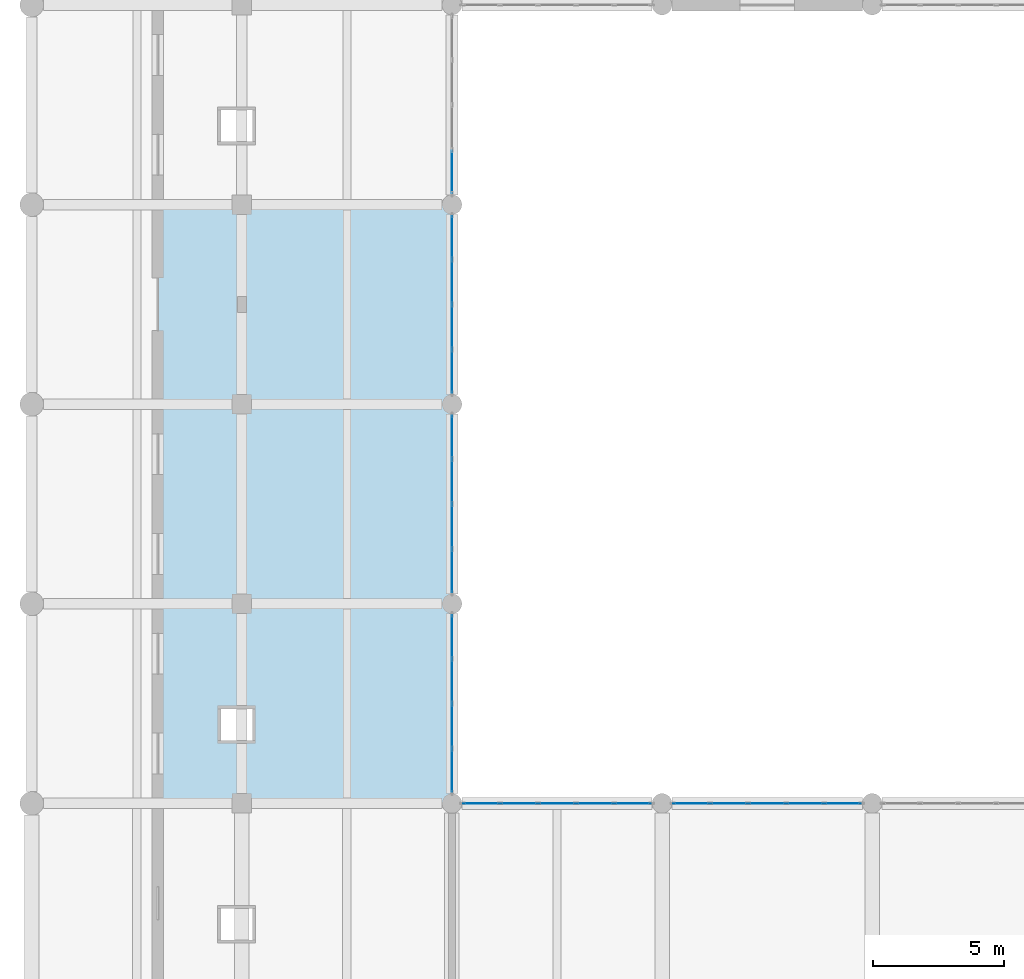
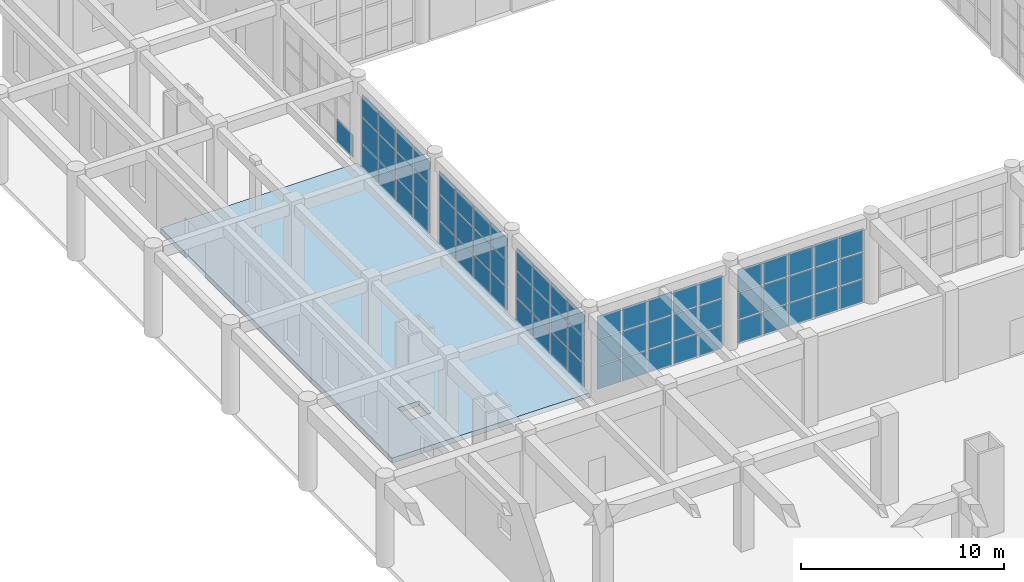
# One storey, part 58 of 95: 67 plates, 1 slab, 6 elements without a shape of their own.
"""IFC4 building model written with IfcOpenShell, lengths in metres."""

from ifc_helpers import new_model, si_unit, direction, frame, origin, origin_2d, place, context, subcontext, project, spatial, polyline, rectangle, outline, extrude, material, layer, layer_set, type_object, element, aggregate, save


model = new_model("IFC4")

# Units and contexts
model_context = context("Model", 3, precision=1e-05, world=origin(), true_north=direction((0.0, 1.0)))
body_context = subcontext(model_context, "Body", "Model", "MODEL_VIEW")
ifc_project = project(units=[si_unit("LENGTHUNIT", "METRE"), si_unit("AREAUNIT", "SQUARE_METRE"), si_unit("VOLUMEUNIT", "CUBIC_METRE"), si_unit("PLANEANGLEUNIT", "RADIAN"), si_unit("MASSUNIT", "GRAM", prefix="KILO")], contexts=[model_context])

# Site, building, storey
site_placement = place(None, origin())
site = spatial("IfcSite", under=ifc_project, at=site_placement, CompositionType="ELEMENT")
building_placement = place(site_placement, origin())
building = spatial("IfcBuilding", under=site, at=building_placement, Name="Zantavel Square City Hall", CompositionType="ELEMENT")
storey_placement = place(building_placement, origin())
storey = spatial("IfcBuildingStorey", under=building, at=storey_placement, Name="L01", CompositionType="ELEMENT", Elevation=0.0)

# Slab
ifc_material_1 = material(Name="Concrete C35/45", Category="concrete")
ifc_layer_1 = layer(ifc_material_1, 0.300048828125, Name="Concrete C35/45")
ifc_layer_set_1 = layer_set([ifc_layer_1], Name="Concrete C35/45")
slab_type = type_object("IfcSlabType", Name="Ground Civic Floor Slab 300mm C35/45", PredefinedType="FLOOR", material=ifc_layer_set_1)
slab_placement = place(storey_placement, frame((0.0, 0.0, -0.300048828125)))
element("IfcSlab", 1, at=slab_placement, inside=storey, type_object=slab_type, Name="L01 Floor Slab SLB-L01-V3W-01", PredefinedType="FLOOR", context=body_context, shape_type="SweptSolid", body=[
    extrude(outline(polyline([(16.0, 60.800048828125), (16.0, 38.0), (4.800048828125, 38.0), (4.800048828125, 60.800048828125), (16.0, 60.800048828125)]), holes=[polyline([(8.39990234375, 41.60009765625), (7.199951171875, 41.60009765625), (7.199951171875, 40.39990234375), (8.39990234375, 40.39990234375), (8.39990234375, 41.60009765625)])]), origin(), (0.0, 0.0, 1.0), 0.300048828125),
])

# Curtain wall, plates
ifc_material_2 = material(Name="Anodised aluminium 6063-T6", Category="aluminium")
curtain_wall_type_1 = type_object("IfcCurtainWallType", Name="Curtain Wall CRT 7250x4510", PredefinedType="USERDEFINED", material=ifc_material_2)
curtain_wall_1_placement = place(storey_placement, origin())
curtain_wall_1 = element("IfcCurtainWall", 2, at=curtain_wall_1_placement, inside=storey, type_object=curtain_wall_type_1, Name="L01 Glazed Curtain Wall CW-L01-010", ObjectType="GLAZED CURTAIN WALL", PredefinedType="USERDEFINED")
ifc_material_3 = material(Name="Tempered safety glass low-E double glazing", Category="glass")
ifc_layer_2 = layer(ifc_material_3, 0.028076171875, Name="Tempered safety glass low-E double glazing")
ifc_layer_set_2 = layer_set([ifc_layer_2], Name="Tempered safety glass low-E double glazing")
plate_type_1 = type_object("IfcPlateType", Name="Low-E Curtain Glazing Panel 1450x1503x28", PredefinedType="CURTAIN_PANEL", material=ifc_layer_set_2)
plate_1_placement = place(storey_placement, frame((17.114990234375, 38.0, 0.06005859375), z_axis=(0.0, 0.0, 1.0), x_axis=(1.0, 0.0, 0.0)))
plate_1 = element("IfcPlate", 3, at=plate_1_placement, type_object=plate_type_1, Name="CW-010 panel 1.1", PredefinedType="CURTAIN_PANEL", context=body_context, shape_type="SweptSolid", body=[
    extrude(rectangle(XDim=1.360107421875, YDim=0.028076171875, at=origin_2d()), origin(), (0.0, 0.0, 1.0), 1.35302734375),
])
plate_2_placement = place(storey_placement, frame((17.114990234375, 38.0, 1.472900390625), z_axis=(0.0, 0.0, 1.0), x_axis=(1.0, 0.0, 0.0)))
plate_2 = element("IfcPlate", 4, at=plate_2_placement, type_object=plate_type_1, Name="CW-010 panel 1.2", PredefinedType="CURTAIN_PANEL", context=body_context, shape_type="SweptSolid", body=[
    extrude(rectangle(XDim=1.360107421875, YDim=0.028076171875, at=origin_2d()), origin(), (0.0, 0.0, 1.0), 1.56396484375),
])
plate_3_placement = place(storey_placement, frame((17.114990234375, 38.0, 3.096923828125), z_axis=(0.0, 0.0, 1.0), x_axis=(1.0, 0.0, 0.0)))
plate_3 = element("IfcPlate", 5, at=plate_3_placement, type_object=plate_type_1, Name="CW-010 panel 1.3", PredefinedType="CURTAIN_PANEL", context=body_context, shape_type="SweptSolid", body=[
    extrude(rectangle(XDim=1.360107421875, YDim=0.028076171875, at=origin_2d()), origin(), (0.0, 0.0, 1.0), 1.35302734375),
])
plate_4_placement = place(storey_placement, frame((18.550048828125, 38.0, 0.06005859375), z_axis=(0.0, 0.0, 1.0), x_axis=(1.0, 0.0, 0.0)))
plate_4 = element("IfcPlate", 6, at=plate_4_placement, type_object=plate_type_1, Name="CW-010 panel 2.1", PredefinedType="CURTAIN_PANEL", context=body_context, shape_type="SweptSolid", body=[
    extrude(rectangle(XDim=1.389892578125, YDim=0.028076171875, at=origin_2d()), origin(), (0.0, 0.0, 1.0), 1.35302734375),
])
plate_5_placement = place(storey_placement, frame((18.550048828125, 38.0, 1.472900390625), z_axis=(0.0, 0.0, 1.0), x_axis=(1.0, 0.0, 0.0)))
plate_5 = element("IfcPlate", 7, at=plate_5_placement, type_object=plate_type_1, Name="CW-010 panel 2.2", PredefinedType="CURTAIN_PANEL", context=body_context, shape_type="SweptSolid", body=[
    extrude(rectangle(XDim=1.389892578125, YDim=0.028076171875, at=origin_2d()), origin(), (0.0, 0.0, 1.0), 1.56396484375),
])
plate_6_placement = place(storey_placement, frame((18.550048828125, 38.0, 3.096923828125), z_axis=(0.0, 0.0, 1.0), x_axis=(1.0, 0.0, 0.0)))
plate_6 = element("IfcPlate", 8, at=plate_6_placement, type_object=plate_type_1, Name="CW-010 panel 2.3", PredefinedType="CURTAIN_PANEL", context=body_context, shape_type="SweptSolid", body=[
    extrude(rectangle(XDim=1.389892578125, YDim=0.028076171875, at=origin_2d()), origin(), (0.0, 0.0, 1.0), 1.35302734375),
])
plate_7_placement = place(storey_placement, frame((20.0, 38.0, 0.06005859375), z_axis=(0.0, 0.0, 1.0), x_axis=(1.0, 0.0, 0.0)))
plate_7 = element("IfcPlate", 9, at=plate_7_placement, type_object=plate_type_1, Name="CW-010 panel 3.1", PredefinedType="CURTAIN_PANEL", context=body_context, shape_type="SweptSolid", body=[
    extrude(rectangle(XDim=1.389892578125, YDim=0.028076171875, at=origin_2d()), origin(), (0.0, 0.0, 1.0), 1.35302734375),
])
plate_8_placement = place(storey_placement, frame((20.0, 38.0, 1.472900390625), z_axis=(0.0, 0.0, 1.0), x_axis=(1.0, 0.0, 0.0)))
plate_8 = element("IfcPlate", 10, at=plate_8_placement, type_object=plate_type_1, Name="CW-010 panel 3.2", PredefinedType="CURTAIN_PANEL", context=body_context, shape_type="SweptSolid", body=[
    extrude(rectangle(XDim=1.389892578125, YDim=0.028076171875, at=origin_2d()), origin(), (0.0, 0.0, 1.0), 1.56396484375),
])
plate_9_placement = place(storey_placement, frame((20.0, 38.0, 3.096923828125), z_axis=(0.0, 0.0, 1.0), x_axis=(1.0, 0.0, 0.0)))
plate_9 = element("IfcPlate", 11, at=plate_9_placement, type_object=plate_type_1, Name="CW-010 panel 3.3", PredefinedType="CURTAIN_PANEL", context=body_context, shape_type="SweptSolid", body=[
    extrude(rectangle(XDim=1.389892578125, YDim=0.028076171875, at=origin_2d()), origin(), (0.0, 0.0, 1.0), 1.35302734375),
])
plate_10_placement = place(storey_placement, frame((21.449951171875, 38.0, 0.06005859375), z_axis=(0.0, 0.0, 1.0), x_axis=(1.0, 0.0, 0.0)))
plate_10 = element("IfcPlate", 12, at=plate_10_placement, type_object=plate_type_1, Name="CW-010 panel 4.1", PredefinedType="CURTAIN_PANEL", context=body_context, shape_type="SweptSolid", body=[
    extrude(rectangle(XDim=1.389892578125, YDim=0.028076171875, at=origin_2d()), origin(), (0.0, 0.0, 1.0), 1.35302734375),
])
plate_11_placement = place(storey_placement, frame((21.449951171875, 38.0, 1.472900390625), z_axis=(0.0, 0.0, 1.0), x_axis=(1.0, 0.0, 0.0)))
plate_11 = element("IfcPlate", 13, at=plate_11_placement, type_object=plate_type_1, Name="CW-010 panel 4.2", PredefinedType="CURTAIN_PANEL", context=body_context, shape_type="SweptSolid", body=[
    extrude(rectangle(XDim=1.389892578125, YDim=0.028076171875, at=origin_2d()), origin(), (0.0, 0.0, 1.0), 1.56396484375),
])
plate_12_placement = place(storey_placement, frame((21.449951171875, 38.0, 3.096923828125), z_axis=(0.0, 0.0, 1.0), x_axis=(1.0, 0.0, 0.0)))
plate_12 = element("IfcPlate", 14, at=plate_12_placement, type_object=plate_type_1, Name="CW-010 panel 4.3", PredefinedType="CURTAIN_PANEL", context=body_context, shape_type="SweptSolid", body=[
    extrude(rectangle(XDim=1.389892578125, YDim=0.028076171875, at=origin_2d()), origin(), (0.0, 0.0, 1.0), 1.35302734375),
])
plate_13_placement = place(storey_placement, frame((22.885009765625, 38.0, 0.06005859375), z_axis=(0.0, 0.0, 1.0), x_axis=(1.0, 0.0, 0.0)))
plate_13 = element("IfcPlate", 15, at=plate_13_placement, type_object=plate_type_1, Name="CW-010 panel 5.1", PredefinedType="CURTAIN_PANEL", context=body_context, shape_type="SweptSolid", body=[
    extrude(rectangle(XDim=1.360107421875, YDim=0.028076171875, at=origin_2d()), origin(), (0.0, 0.0, 1.0), 1.35302734375),
])
plate_14_placement = place(storey_placement, frame((22.885009765625, 38.0, 1.472900390625), z_axis=(0.0, 0.0, 1.0), x_axis=(1.0, 0.0, 0.0)))
plate_14 = element("IfcPlate", 16, at=plate_14_placement, type_object=plate_type_1, Name="CW-010 panel 5.2", PredefinedType="CURTAIN_PANEL", context=body_context, shape_type="SweptSolid", body=[
    extrude(rectangle(XDim=1.360107421875, YDim=0.028076171875, at=origin_2d()), origin(), (0.0, 0.0, 1.0), 1.56396484375),
])
plate_15_placement = place(storey_placement, frame((22.885009765625, 38.0, 3.096923828125), z_axis=(0.0, 0.0, 1.0), x_axis=(1.0, 0.0, 0.0)))
plate_15 = element("IfcPlate", 17, at=plate_15_placement, type_object=plate_type_1, Name="CW-010 panel 5.3", PredefinedType="CURTAIN_PANEL", context=body_context, shape_type="SweptSolid", body=[
    extrude(rectangle(XDim=1.360107421875, YDim=0.028076171875, at=origin_2d()), origin(), (0.0, 0.0, 1.0), 1.35302734375),
])
aggregate(curtain_wall_1, [plate_1, plate_2, plate_3, plate_4, plate_5, plate_6, plate_7, plate_8, plate_9, plate_10, plate_11, plate_12, plate_13, plate_14, plate_15])

curtain_wall_2_placement = place(storey_placement, origin())
curtain_wall_2 = element("IfcCurtainWall", 18, at=curtain_wall_2_placement, inside=storey, type_object=curtain_wall_type_1, Name="L01 Glazed Curtain Wall CW-L01-011", ObjectType="GLAZED CURTAIN WALL", PredefinedType="USERDEFINED")
plate_16_placement = place(storey_placement, frame((25.114990234375, 38.0, 0.06005859375), z_axis=(0.0, 0.0, 1.0), x_axis=(1.0, 0.0, 0.0)))
plate_16 = element("IfcPlate", 19, at=plate_16_placement, type_object=plate_type_1, Name="CW-011 panel 1.1", PredefinedType="CURTAIN_PANEL", context=body_context, shape_type="SweptSolid", body=[
    extrude(rectangle(XDim=1.360107421875, YDim=0.028076171875, at=origin_2d()), origin(), (0.0, 0.0, 1.0), 1.35302734375),
])
plate_17_placement = place(storey_placement, frame((25.114990234375, 38.0, 1.472900390625), z_axis=(0.0, 0.0, 1.0), x_axis=(1.0, 0.0, 0.0)))
plate_17 = element("IfcPlate", 20, at=plate_17_placement, type_object=plate_type_1, Name="CW-011 panel 1.2", PredefinedType="CURTAIN_PANEL", context=body_context, shape_type="SweptSolid", body=[
    extrude(rectangle(XDim=1.360107421875, YDim=0.028076171875, at=origin_2d()), origin(), (0.0, 0.0, 1.0), 1.56396484375),
])
plate_18_placement = place(storey_placement, frame((25.114990234375, 38.0, 3.096923828125), z_axis=(0.0, 0.0, 1.0), x_axis=(1.0, 0.0, 0.0)))
plate_18 = element("IfcPlate", 21, at=plate_18_placement, type_object=plate_type_1, Name="CW-011 panel 1.3", PredefinedType="CURTAIN_PANEL", context=body_context, shape_type="SweptSolid", body=[
    extrude(rectangle(XDim=1.360107421875, YDim=0.028076171875, at=origin_2d()), origin(), (0.0, 0.0, 1.0), 1.35302734375),
])
plate_19_placement = place(storey_placement, frame((26.550048828125, 38.0, 0.06005859375), z_axis=(0.0, 0.0, 1.0), x_axis=(1.0, 0.0, 0.0)))
plate_19 = element("IfcPlate", 22, at=plate_19_placement, type_object=plate_type_1, Name="CW-011 panel 2.1", PredefinedType="CURTAIN_PANEL", context=body_context, shape_type="SweptSolid", body=[
    extrude(rectangle(XDim=1.389892578125, YDim=0.028076171875, at=origin_2d()), origin(), (0.0, 0.0, 1.0), 1.35302734375),
])
plate_20_placement = place(storey_placement, frame((26.550048828125, 38.0, 1.472900390625), z_axis=(0.0, 0.0, 1.0), x_axis=(1.0, 0.0, 0.0)))
plate_20 = element("IfcPlate", 23, at=plate_20_placement, type_object=plate_type_1, Name="CW-011 panel 2.2", PredefinedType="CURTAIN_PANEL", context=body_context, shape_type="SweptSolid", body=[
    extrude(rectangle(XDim=1.389892578125, YDim=0.028076171875, at=origin_2d()), origin(), (0.0, 0.0, 1.0), 1.56396484375),
])
plate_21_placement = place(storey_placement, frame((26.550048828125, 38.0, 3.096923828125), z_axis=(0.0, 0.0, 1.0), x_axis=(1.0, 0.0, 0.0)))
plate_21 = element("IfcPlate", 24, at=plate_21_placement, type_object=plate_type_1, Name="CW-011 panel 2.3", PredefinedType="CURTAIN_PANEL", context=body_context, shape_type="SweptSolid", body=[
    extrude(rectangle(XDim=1.389892578125, YDim=0.028076171875, at=origin_2d()), origin(), (0.0, 0.0, 1.0), 1.35302734375),
])
plate_22_placement = place(storey_placement, frame((28.0, 38.0, 0.06005859375), z_axis=(0.0, 0.0, 1.0), x_axis=(1.0, 0.0, 0.0)))
plate_22 = element("IfcPlate", 25, at=plate_22_placement, type_object=plate_type_1, Name="CW-011 panel 3.1", PredefinedType="CURTAIN_PANEL", context=body_context, shape_type="SweptSolid", body=[
    extrude(rectangle(XDim=1.389892578125, YDim=0.028076171875, at=origin_2d()), origin(), (0.0, 0.0, 1.0), 1.35302734375),
])
plate_23_placement = place(storey_placement, frame((28.0, 38.0, 1.472900390625), z_axis=(0.0, 0.0, 1.0), x_axis=(1.0, 0.0, 0.0)))
plate_23 = element("IfcPlate", 26, at=plate_23_placement, type_object=plate_type_1, Name="CW-011 panel 3.2", PredefinedType="CURTAIN_PANEL", context=body_context, shape_type="SweptSolid", body=[
    extrude(rectangle(XDim=1.389892578125, YDim=0.028076171875, at=origin_2d()), origin(), (0.0, 0.0, 1.0), 1.56396484375),
])
plate_24_placement = place(storey_placement, frame((28.0, 38.0, 3.096923828125), z_axis=(0.0, 0.0, 1.0), x_axis=(1.0, 0.0, 0.0)))
plate_24 = element("IfcPlate", 27, at=plate_24_placement, type_object=plate_type_1, Name="CW-011 panel 3.3", PredefinedType="CURTAIN_PANEL", context=body_context, shape_type="SweptSolid", body=[
    extrude(rectangle(XDim=1.389892578125, YDim=0.028076171875, at=origin_2d()), origin(), (0.0, 0.0, 1.0), 1.35302734375),
])
plate_25_placement = place(storey_placement, frame((29.449951171875, 38.0, 0.06005859375), z_axis=(0.0, 0.0, 1.0), x_axis=(1.0, 0.0, 0.0)))
plate_25 = element("IfcPlate", 28, at=plate_25_placement, type_object=plate_type_1, Name="CW-011 panel 4.1", PredefinedType="CURTAIN_PANEL", context=body_context, shape_type="SweptSolid", body=[
    extrude(rectangle(XDim=1.389892578125, YDim=0.028076171875, at=origin_2d()), origin(), (0.0, 0.0, 1.0), 1.35302734375),
])
plate_26_placement = place(storey_placement, frame((29.449951171875, 38.0, 1.472900390625), z_axis=(0.0, 0.0, 1.0), x_axis=(1.0, 0.0, 0.0)))
plate_26 = element("IfcPlate", 29, at=plate_26_placement, type_object=plate_type_1, Name="CW-011 panel 4.2", PredefinedType="CURTAIN_PANEL", context=body_context, shape_type="SweptSolid", body=[
    extrude(rectangle(XDim=1.389892578125, YDim=0.028076171875, at=origin_2d()), origin(), (0.0, 0.0, 1.0), 1.56396484375),
])
plate_27_placement = place(storey_placement, frame((29.449951171875, 38.0, 3.096923828125), z_axis=(0.0, 0.0, 1.0), x_axis=(1.0, 0.0, 0.0)))
plate_27 = element("IfcPlate", 30, at=plate_27_placement, type_object=plate_type_1, Name="CW-011 panel 4.3", PredefinedType="CURTAIN_PANEL", context=body_context, shape_type="SweptSolid", body=[
    extrude(rectangle(XDim=1.389892578125, YDim=0.028076171875, at=origin_2d()), origin(), (0.0, 0.0, 1.0), 1.35302734375),
])
plate_28_placement = place(storey_placement, frame((30.885009765625, 38.0, 0.06005859375), z_axis=(0.0, 0.0, 1.0), x_axis=(1.0, 0.0, 0.0)))
plate_28 = element("IfcPlate", 31, at=plate_28_placement, type_object=plate_type_1, Name="CW-011 panel 5.1", PredefinedType="CURTAIN_PANEL", context=body_context, shape_type="SweptSolid", body=[
    extrude(rectangle(XDim=1.360107421875, YDim=0.028076171875, at=origin_2d()), origin(), (0.0, 0.0, 1.0), 1.35302734375),
])
plate_29_placement = place(storey_placement, frame((30.885009765625, 38.0, 1.472900390625), z_axis=(0.0, 0.0, 1.0), x_axis=(1.0, 0.0, 0.0)))
plate_29 = element("IfcPlate", 32, at=plate_29_placement, type_object=plate_type_1, Name="CW-011 panel 5.2", PredefinedType="CURTAIN_PANEL", context=body_context, shape_type="SweptSolid", body=[
    extrude(rectangle(XDim=1.360107421875, YDim=0.028076171875, at=origin_2d()), origin(), (0.0, 0.0, 1.0), 1.56396484375),
])
plate_30_placement = place(storey_placement, frame((30.885009765625, 38.0, 3.096923828125), z_axis=(0.0, 0.0, 1.0), x_axis=(1.0, 0.0, 0.0)))
plate_30 = element("IfcPlate", 33, at=plate_30_placement, type_object=plate_type_1, Name="CW-011 panel 5.3", PredefinedType="CURTAIN_PANEL", context=body_context, shape_type="SweptSolid", body=[
    extrude(rectangle(XDim=1.360107421875, YDim=0.028076171875, at=origin_2d()), origin(), (0.0, 0.0, 1.0), 1.35302734375),
])
aggregate(curtain_wall_2, [plate_16, plate_17, plate_18, plate_19, plate_20, plate_21, plate_22, plate_23, plate_24, plate_25, plate_26, plate_27, plate_28, plate_29, plate_30])

curtain_wall_type_2 = type_object("IfcCurtainWallType", Name="Curtain Wall CRT 6850x4460", PredefinedType="USERDEFINED", material=ifc_material_2)
curtain_wall_3_placement = place(storey_placement, origin())
curtain_wall_3 = element("IfcCurtainWall", 34, at=curtain_wall_3_placement, inside=storey, type_object=curtain_wall_type_2, Name="L01 Glazed Curtain Wall CW-L01-007", ObjectType="GLAZED CURTAIN WALL", PredefinedType="USERDEFINED")
ifc_layer_3 = layer(ifc_material_3, 0.028076171875, Name="Tempered safety glass low-E double glazing")
ifc_layer_set_3 = layer_set([ifc_layer_3], Name="Tempered safety glass low-E double glazing")
plate_type_2 = type_object("IfcPlateType", Name="Low-E Curtain Glazing Panel 1712x1487x28", PredefinedType="CURTAIN_PANEL", material=ifc_layer_set_3)
plate_31_placement = place(storey_placement, frame((16.0, 59.5537109375, 0.06005859375), z_axis=(0.0, 0.0, 1.0), x_axis=(0.0, -1.0, 0.0)))
plate_31 = element("IfcPlate", 35, at=plate_31_placement, type_object=plate_type_2, Name="CW-007 panel 1.1", PredefinedType="CURTAIN_PANEL", context=body_context, shape_type="SweptSolid", body=[
    extrude(rectangle(XDim=1.62255859375, YDim=0.028076171875, at=origin_2d()), origin(), (0.0, 0.0, 1.0), 1.3369140625),
])
plate_32_placement = place(storey_placement, frame((16.0, 59.5537109375, 1.45703125), z_axis=(0.0, 0.0, 1.0), x_axis=(0.0, -1.0, 0.0)))
plate_32 = element("IfcPlate", 36, at=plate_32_placement, type_object=plate_type_2, Name="CW-007 panel 1.2", PredefinedType="CURTAIN_PANEL", context=body_context, shape_type="SweptSolid", body=[
    extrude(rectangle(XDim=1.62255859375, YDim=0.028076171875, at=origin_2d()), origin(), (0.0, 0.0, 1.0), 1.5458984375),
])
plate_33_placement = place(storey_placement, frame((16.0, 59.5537109375, 3.06298828125), z_axis=(0.0, 0.0, 1.0), x_axis=(0.0, -1.0, 0.0)))
plate_33 = element("IfcPlate", 37, at=plate_33_placement, type_object=plate_type_2, Name="CW-007 panel 1.3", PredefinedType="CURTAIN_PANEL", context=body_context, shape_type="SweptSolid", body=[
    extrude(rectangle(XDim=1.62255859375, YDim=0.028076171875, at=origin_2d()), origin(), (0.0, 0.0, 1.0), 1.3369140625),
])
plate_34_placement = place(storey_placement, frame((16.0, 57.856201171875, 0.06005859375), z_axis=(0.0, 0.0, 1.0), x_axis=(0.0, -1.0, 0.0)))
plate_34 = element("IfcPlate", 38, at=plate_34_placement, type_object=plate_type_2, Name="CW-007 panel 2.1", PredefinedType="CURTAIN_PANEL", context=body_context, shape_type="SweptSolid", body=[
    extrude(rectangle(XDim=1.652587890625, YDim=0.028076171875, at=origin_2d()), origin(), (0.0, 0.0, 1.0), 1.3369140625),
])
plate_35_placement = place(storey_placement, frame((16.0, 57.856201171875, 1.45703125), z_axis=(0.0, 0.0, 1.0), x_axis=(0.0, -1.0, 0.0)))
plate_35 = element("IfcPlate", 39, at=plate_35_placement, type_object=plate_type_2, Name="CW-007 panel 2.2", PredefinedType="CURTAIN_PANEL", context=body_context, shape_type="SweptSolid", body=[
    extrude(rectangle(XDim=1.652587890625, YDim=0.028076171875, at=origin_2d()), origin(), (0.0, 0.0, 1.0), 1.5458984375),
])
plate_36_placement = place(storey_placement, frame((16.0, 57.856201171875, 3.06298828125), z_axis=(0.0, 0.0, 1.0), x_axis=(0.0, -1.0, 0.0)))
plate_36 = element("IfcPlate", 40, at=plate_36_placement, type_object=plate_type_2, Name="CW-007 panel 2.3", PredefinedType="CURTAIN_PANEL", context=body_context, shape_type="SweptSolid", body=[
    extrude(rectangle(XDim=1.652587890625, YDim=0.028076171875, at=origin_2d()), origin(), (0.0, 0.0, 1.0), 1.3369140625),
])
plate_37_placement = place(storey_placement, frame((16.0, 56.143798828125, 0.06005859375), z_axis=(0.0, 0.0, 1.0), x_axis=(0.0, -1.0, 0.0)))
plate_37 = element("IfcPlate", 41, at=plate_37_placement, type_object=plate_type_2, Name="CW-007 panel 3.1", PredefinedType="CURTAIN_PANEL", context=body_context, shape_type="SweptSolid", body=[
    extrude(rectangle(XDim=1.652587890625, YDim=0.028076171875, at=origin_2d()), origin(), (0.0, 0.0, 1.0), 1.3369140625),
])
plate_38_placement = place(storey_placement, frame((16.0, 56.143798828125, 1.45703125), z_axis=(0.0, 0.0, 1.0), x_axis=(0.0, -1.0, 0.0)))
plate_38 = element("IfcPlate", 42, at=plate_38_placement, type_object=plate_type_2, Name="CW-007 panel 3.2", PredefinedType="CURTAIN_PANEL", context=body_context, shape_type="SweptSolid", body=[
    extrude(rectangle(XDim=1.652587890625, YDim=0.028076171875, at=origin_2d()), origin(), (0.0, 0.0, 1.0), 1.5458984375),
])
plate_39_placement = place(storey_placement, frame((16.0, 56.143798828125, 3.06298828125), z_axis=(0.0, 0.0, 1.0), x_axis=(0.0, -1.0, 0.0)))
plate_39 = element("IfcPlate", 43, at=plate_39_placement, type_object=plate_type_2, Name="CW-007 panel 3.3", PredefinedType="CURTAIN_PANEL", context=body_context, shape_type="SweptSolid", body=[
    extrude(rectangle(XDim=1.652587890625, YDim=0.028076171875, at=origin_2d()), origin(), (0.0, 0.0, 1.0), 1.3369140625),
])
plate_40_placement = place(storey_placement, frame((16.0, 54.4462890625, 0.06005859375), z_axis=(0.0, 0.0, 1.0), x_axis=(0.0, -1.0, 0.0)))
plate_40 = element("IfcPlate", 44, at=plate_40_placement, type_object=plate_type_2, Name="CW-007 panel 4.1", PredefinedType="CURTAIN_PANEL", context=body_context, shape_type="SweptSolid", body=[
    extrude(rectangle(XDim=1.62255859375, YDim=0.028076171875, at=origin_2d()), origin(), (0.0, 0.0, 1.0), 1.3369140625),
])
plate_41_placement = place(storey_placement, frame((16.0, 54.4462890625, 1.45703125), z_axis=(0.0, 0.0, 1.0), x_axis=(0.0, -1.0, 0.0)))
plate_41 = element("IfcPlate", 45, at=plate_41_placement, type_object=plate_type_2, Name="CW-007 panel 4.2", PredefinedType="CURTAIN_PANEL", context=body_context, shape_type="SweptSolid", body=[
    extrude(rectangle(XDim=1.62255859375, YDim=0.028076171875, at=origin_2d()), origin(), (0.0, 0.0, 1.0), 1.5458984375),
])
plate_42_placement = place(storey_placement, frame((16.0, 54.4462890625, 3.06298828125), z_axis=(0.0, 0.0, 1.0), x_axis=(0.0, -1.0, 0.0)))
plate_42 = element("IfcPlate", 46, at=plate_42_placement, type_object=plate_type_2, Name="CW-007 panel 4.3", PredefinedType="CURTAIN_PANEL", context=body_context, shape_type="SweptSolid", body=[
    extrude(rectangle(XDim=1.62255859375, YDim=0.028076171875, at=origin_2d()), origin(), (0.0, 0.0, 1.0), 1.3369140625),
])
aggregate(curtain_wall_3, [plate_31, plate_32, plate_33, plate_34, plate_35, plate_36, plate_37, plate_38, plate_39, plate_40, plate_41, plate_42])

# Curtain wall, plate
curtain_wall_4_placement = place(storey_placement, origin())
curtain_wall_4 = element("IfcCurtainWall", 47, at=curtain_wall_4_placement, inside=storey, type_object=curtain_wall_type_2, Name="L01 Glazed Curtain Wall CW-L01-006", ObjectType="GLAZED CURTAIN WALL", PredefinedType="USERDEFINED")
ifc_layer_4 = layer(ifc_material_3, 0.028076171875, Name="Tempered safety glass low-E double glazing")
ifc_layer_set_4 = layer_set([ifc_layer_4], Name="Tempered safety glass low-E double glazing")
plate_type_3 = type_object("IfcPlateType", Name="Low-E Curtain Glazing Panel 1713x1487x28", PredefinedType="CURTAIN_PANEL", material=ifc_layer_set_4)
plate_43_placement = place(storey_placement, frame((16.0, 62.046142578125, 0.06005859375), z_axis=(0.0, 0.0, 1.0), x_axis=(0.0, -1.0, 0.0)))
plate_43 = element("IfcPlate", 48, at=plate_43_placement, type_object=plate_type_3, Name="CW-006 panel 4.1", PredefinedType="CURTAIN_PANEL", context=body_context, shape_type="SweptSolid", body=[
    extrude(rectangle(XDim=1.62255859375, YDim=0.028076171875, at=origin_2d()), origin(), (0.0, 0.0, 1.0), 1.3369140625),
])
aggregate(curtain_wall_4, [plate_43])

# Curtain wall, plates
curtain_wall_5_placement = place(storey_placement, origin())
curtain_wall_5 = element("IfcCurtainWall", 49, at=curtain_wall_5_placement, inside=storey, type_object=curtain_wall_type_2, Name="L01 Glazed Curtain Wall CW-L01-008", ObjectType="GLAZED CURTAIN WALL", PredefinedType="USERDEFINED")
plate_44_placement = place(storey_placement, frame((16.0, 51.953857421875, 0.06005859375), z_axis=(0.0, 0.0, 1.0), x_axis=(0.0, -1.0, 0.0)))
plate_44 = element("IfcPlate", 50, at=plate_44_placement, type_object=plate_type_3, Name="CW-008 panel 1.1", PredefinedType="CURTAIN_PANEL", context=body_context, shape_type="SweptSolid", body=[
    extrude(rectangle(XDim=1.62255859375, YDim=0.028076171875, at=origin_2d()), origin(), (0.0, 0.0, 1.0), 1.3369140625),
])
plate_45_placement = place(storey_placement, frame((16.0, 51.953857421875, 1.45703125), z_axis=(0.0, 0.0, 1.0), x_axis=(0.0, -1.0, 0.0)))
plate_45 = element("IfcPlate", 51, at=plate_45_placement, type_object=plate_type_3, Name="CW-008 panel 1.2", PredefinedType="CURTAIN_PANEL", context=body_context, shape_type="SweptSolid", body=[
    extrude(rectangle(XDim=1.62255859375, YDim=0.028076171875, at=origin_2d()), origin(), (0.0, 0.0, 1.0), 1.5458984375),
])
plate_46_placement = place(storey_placement, frame((16.0, 51.953857421875, 3.06298828125), z_axis=(0.0, 0.0, 1.0), x_axis=(0.0, -1.0, 0.0)))
plate_46 = element("IfcPlate", 52, at=plate_46_placement, type_object=plate_type_3, Name="CW-008 panel 1.3", PredefinedType="CURTAIN_PANEL", context=body_context, shape_type="SweptSolid", body=[
    extrude(rectangle(XDim=1.62255859375, YDim=0.028076171875, at=origin_2d()), origin(), (0.0, 0.0, 1.0), 1.3369140625),
])
plate_47_placement = place(storey_placement, frame((16.0, 50.25634765625, 0.06005859375), z_axis=(0.0, 0.0, 1.0), x_axis=(0.0, -1.0, 0.0)))
plate_47 = element("IfcPlate", 53, at=plate_47_placement, type_object=plate_type_3, Name="CW-008 panel 2.1", PredefinedType="CURTAIN_PANEL", context=body_context, shape_type="SweptSolid", body=[
    extrude(rectangle(XDim=1.652587890625, YDim=0.028076171875, at=origin_2d()), origin(), (0.0, 0.0, 1.0), 1.3369140625),
])
plate_48_placement = place(storey_placement, frame((16.0, 50.25634765625, 1.45703125), z_axis=(0.0, 0.0, 1.0), x_axis=(0.0, -1.0, 0.0)))
plate_48 = element("IfcPlate", 54, at=plate_48_placement, type_object=plate_type_3, Name="CW-008 panel 2.2", PredefinedType="CURTAIN_PANEL", context=body_context, shape_type="SweptSolid", body=[
    extrude(rectangle(XDim=1.652587890625, YDim=0.028076171875, at=origin_2d()), origin(), (0.0, 0.0, 1.0), 1.5458984375),
])
plate_49_placement = place(storey_placement, frame((16.0, 50.25634765625, 3.06298828125), z_axis=(0.0, 0.0, 1.0), x_axis=(0.0, -1.0, 0.0)))
plate_49 = element("IfcPlate", 55, at=plate_49_placement, type_object=plate_type_3, Name="CW-008 panel 2.3", PredefinedType="CURTAIN_PANEL", context=body_context, shape_type="SweptSolid", body=[
    extrude(rectangle(XDim=1.652587890625, YDim=0.028076171875, at=origin_2d()), origin(), (0.0, 0.0, 1.0), 1.3369140625),
])
plate_50_placement = place(storey_placement, frame((16.0, 48.543701171875, 0.06005859375), z_axis=(0.0, 0.0, 1.0), x_axis=(0.0, -1.0, 0.0)))
plate_50 = element("IfcPlate", 56, at=plate_50_placement, type_object=plate_type_3, Name="CW-008 panel 3.1", PredefinedType="CURTAIN_PANEL", context=body_context, shape_type="SweptSolid", body=[
    extrude(rectangle(XDim=1.652587890625, YDim=0.028076171875, at=origin_2d()), origin(), (0.0, 0.0, 1.0), 1.3369140625),
])
plate_51_placement = place(storey_placement, frame((16.0, 48.543701171875, 1.45703125), z_axis=(0.0, 0.0, 1.0), x_axis=(0.0, -1.0, 0.0)))
plate_51 = element("IfcPlate", 57, at=plate_51_placement, type_object=plate_type_3, Name="CW-008 panel 3.2", PredefinedType="CURTAIN_PANEL", context=body_context, shape_type="SweptSolid", body=[
    extrude(rectangle(XDim=1.652587890625, YDim=0.028076171875, at=origin_2d()), origin(), (0.0, 0.0, 1.0), 1.5458984375),
])
plate_52_placement = place(storey_placement, frame((16.0, 48.543701171875, 3.06298828125), z_axis=(0.0, 0.0, 1.0), x_axis=(0.0, -1.0, 0.0)))
plate_52 = element("IfcPlate", 58, at=plate_52_placement, type_object=plate_type_3, Name="CW-008 panel 3.3", PredefinedType="CURTAIN_PANEL", context=body_context, shape_type="SweptSolid", body=[
    extrude(rectangle(XDim=1.652587890625, YDim=0.028076171875, at=origin_2d()), origin(), (0.0, 0.0, 1.0), 1.3369140625),
])
plate_53_placement = place(storey_placement, frame((16.0, 46.84619140625, 0.06005859375), z_axis=(0.0, 0.0, 1.0), x_axis=(0.0, -1.0, 0.0)))
plate_53 = element("IfcPlate", 59, at=plate_53_placement, type_object=plate_type_3, Name="CW-008 panel 4.1", PredefinedType="CURTAIN_PANEL", context=body_context, shape_type="SweptSolid", body=[
    extrude(rectangle(XDim=1.62255859375, YDim=0.028076171875, at=origin_2d()), origin(), (0.0, 0.0, 1.0), 1.3369140625),
])
plate_54_placement = place(storey_placement, frame((16.0, 46.84619140625, 1.45703125), z_axis=(0.0, 0.0, 1.0), x_axis=(0.0, -1.0, 0.0)))
plate_54 = element("IfcPlate", 60, at=plate_54_placement, type_object=plate_type_3, Name="CW-008 panel 4.2", PredefinedType="CURTAIN_PANEL", context=body_context, shape_type="SweptSolid", body=[
    extrude(rectangle(XDim=1.62255859375, YDim=0.028076171875, at=origin_2d()), origin(), (0.0, 0.0, 1.0), 1.5458984375),
])
plate_55_placement = place(storey_placement, frame((16.0, 46.84619140625, 3.06298828125), z_axis=(0.0, 0.0, 1.0), x_axis=(0.0, -1.0, 0.0)))
plate_55 = element("IfcPlate", 61, at=plate_55_placement, type_object=plate_type_3, Name="CW-008 panel 4.3", PredefinedType="CURTAIN_PANEL", context=body_context, shape_type="SweptSolid", body=[
    extrude(rectangle(XDim=1.62255859375, YDim=0.028076171875, at=origin_2d()), origin(), (0.0, 0.0, 1.0), 1.3369140625),
])
aggregate(curtain_wall_5, [plate_44, plate_45, plate_46, plate_47, plate_48, plate_49, plate_50, plate_51, plate_52, plate_53, plate_54, plate_55])

curtain_wall_6_placement = place(storey_placement, origin())
curtain_wall_6 = element("IfcCurtainWall", 62, at=curtain_wall_6_placement, inside=storey, type_object=curtain_wall_type_2, Name="L01 Glazed Curtain Wall CW-L01-009", ObjectType="GLAZED CURTAIN WALL", PredefinedType="USERDEFINED")
plate_56_placement = place(storey_placement, frame((16.0, 44.353759765625, 0.06005859375), z_axis=(0.0, 0.0, 1.0), x_axis=(0.0, -1.0, 0.0)))
plate_56 = element("IfcPlate", 63, at=plate_56_placement, type_object=plate_type_3, Name="CW-009 panel 1.1", PredefinedType="CURTAIN_PANEL", context=body_context, shape_type="SweptSolid", body=[
    extrude(rectangle(XDim=1.62255859375, YDim=0.028076171875, at=origin_2d()), origin(), (0.0, 0.0, 1.0), 1.3369140625),
])
plate_57_placement = place(storey_placement, frame((16.0, 44.353759765625, 1.45703125), z_axis=(0.0, 0.0, 1.0), x_axis=(0.0, -1.0, 0.0)))
plate_57 = element("IfcPlate", 64, at=plate_57_placement, type_object=plate_type_3, Name="CW-009 panel 1.2", PredefinedType="CURTAIN_PANEL", context=body_context, shape_type="SweptSolid", body=[
    extrude(rectangle(XDim=1.62255859375, YDim=0.028076171875, at=origin_2d()), origin(), (0.0, 0.0, 1.0), 1.5458984375),
])
plate_58_placement = place(storey_placement, frame((16.0, 44.353759765625, 3.06298828125), z_axis=(0.0, 0.0, 1.0), x_axis=(0.0, -1.0, 0.0)))
plate_58 = element("IfcPlate", 65, at=plate_58_placement, type_object=plate_type_3, Name="CW-009 panel 1.3", PredefinedType="CURTAIN_PANEL", context=body_context, shape_type="SweptSolid", body=[
    extrude(rectangle(XDim=1.62255859375, YDim=0.028076171875, at=origin_2d()), origin(), (0.0, 0.0, 1.0), 1.3369140625),
])
plate_59_placement = place(storey_placement, frame((16.0, 42.65625, 0.06005859375), z_axis=(0.0, 0.0, 1.0), x_axis=(0.0, -1.0, 0.0)))
plate_59 = element("IfcPlate", 66, at=plate_59_placement, type_object=plate_type_3, Name="CW-009 panel 2.1", PredefinedType="CURTAIN_PANEL", context=body_context, shape_type="SweptSolid", body=[
    extrude(rectangle(XDim=1.652587890625, YDim=0.028076171875, at=origin_2d()), origin(), (0.0, 0.0, 1.0), 1.3369140625),
])
plate_60_placement = place(storey_placement, frame((16.0, 42.65625, 1.45703125), z_axis=(0.0, 0.0, 1.0), x_axis=(0.0, -1.0, 0.0)))
plate_60 = element("IfcPlate", 67, at=plate_60_placement, type_object=plate_type_3, Name="CW-009 panel 2.2", PredefinedType="CURTAIN_PANEL", context=body_context, shape_type="SweptSolid", body=[
    extrude(rectangle(XDim=1.652587890625, YDim=0.028076171875, at=origin_2d()), origin(), (0.0, 0.0, 1.0), 1.5458984375),
])
plate_61_placement = place(storey_placement, frame((16.0, 42.65625, 3.06298828125), z_axis=(0.0, 0.0, 1.0), x_axis=(0.0, -1.0, 0.0)))
plate_61 = element("IfcPlate", 68, at=plate_61_placement, type_object=plate_type_3, Name="CW-009 panel 2.3", PredefinedType="CURTAIN_PANEL", context=body_context, shape_type="SweptSolid", body=[
    extrude(rectangle(XDim=1.652587890625, YDim=0.028076171875, at=origin_2d()), origin(), (0.0, 0.0, 1.0), 1.3369140625),
])
plate_62_placement = place(storey_placement, frame((16.0, 40.94384765625, 0.06005859375), z_axis=(0.0, 0.0, 1.0), x_axis=(0.0, -1.0, 0.0)))
plate_62 = element("IfcPlate", 69, at=plate_62_placement, type_object=plate_type_3, Name="CW-009 panel 3.1", PredefinedType="CURTAIN_PANEL", context=body_context, shape_type="SweptSolid", body=[
    extrude(rectangle(XDim=1.652587890625, YDim=0.028076171875, at=origin_2d()), origin(), (0.0, 0.0, 1.0), 1.3369140625),
])
plate_63_placement = place(storey_placement, frame((16.0, 40.94384765625, 1.45703125), z_axis=(0.0, 0.0, 1.0), x_axis=(0.0, -1.0, 0.0)))
plate_63 = element("IfcPlate", 70, at=plate_63_placement, type_object=plate_type_3, Name="CW-009 panel 3.2", PredefinedType="CURTAIN_PANEL", context=body_context, shape_type="SweptSolid", body=[
    extrude(rectangle(XDim=1.652587890625, YDim=0.028076171875, at=origin_2d()), origin(), (0.0, 0.0, 1.0), 1.5458984375),
])
plate_64_placement = place(storey_placement, frame((16.0, 40.94384765625, 3.06298828125), z_axis=(0.0, 0.0, 1.0), x_axis=(0.0, -1.0, 0.0)))
plate_64 = element("IfcPlate", 71, at=plate_64_placement, type_object=plate_type_3, Name="CW-009 panel 3.3", PredefinedType="CURTAIN_PANEL", context=body_context, shape_type="SweptSolid", body=[
    extrude(rectangle(XDim=1.652587890625, YDim=0.028076171875, at=origin_2d()), origin(), (0.0, 0.0, 1.0), 1.3369140625),
])
plate_65_placement = place(storey_placement, frame((16.0, 39.246337890625, 0.06005859375), z_axis=(0.0, 0.0, 1.0), x_axis=(0.0, -1.0, 0.0)))
plate_65 = element("IfcPlate", 72, at=plate_65_placement, type_object=plate_type_3, Name="CW-009 panel 4.1", PredefinedType="CURTAIN_PANEL", context=body_context, shape_type="SweptSolid", body=[
    extrude(rectangle(XDim=1.62255859375, YDim=0.028076171875, at=origin_2d()), origin(), (0.0, 0.0, 1.0), 1.3369140625),
])
plate_66_placement = place(storey_placement, frame((16.0, 39.246337890625, 1.45703125), z_axis=(0.0, 0.0, 1.0), x_axis=(0.0, -1.0, 0.0)))
plate_66 = element("IfcPlate", 73, at=plate_66_placement, type_object=plate_type_3, Name="CW-009 panel 4.2", PredefinedType="CURTAIN_PANEL", context=body_context, shape_type="SweptSolid", body=[
    extrude(rectangle(XDim=1.62255859375, YDim=0.028076171875, at=origin_2d()), origin(), (0.0, 0.0, 1.0), 1.5458984375),
])
plate_67_placement = place(storey_placement, frame((16.0, 39.246337890625, 3.06298828125), z_axis=(0.0, 0.0, 1.0), x_axis=(0.0, -1.0, 0.0)))
plate_67 = element("IfcPlate", 74, at=plate_67_placement, type_object=plate_type_3, Name="CW-009 panel 4.3", PredefinedType="CURTAIN_PANEL", context=body_context, shape_type="SweptSolid", body=[
    extrude(rectangle(XDim=1.62255859375, YDim=0.028076171875, at=origin_2d()), origin(), (0.0, 0.0, 1.0), 1.3369140625),
])
aggregate(curtain_wall_6, [plate_56, plate_57, plate_58, plate_59, plate_60, plate_61, plate_62, plate_63, plate_64, plate_65, plate_66, plate_67])

save(model, "model.ifc")
